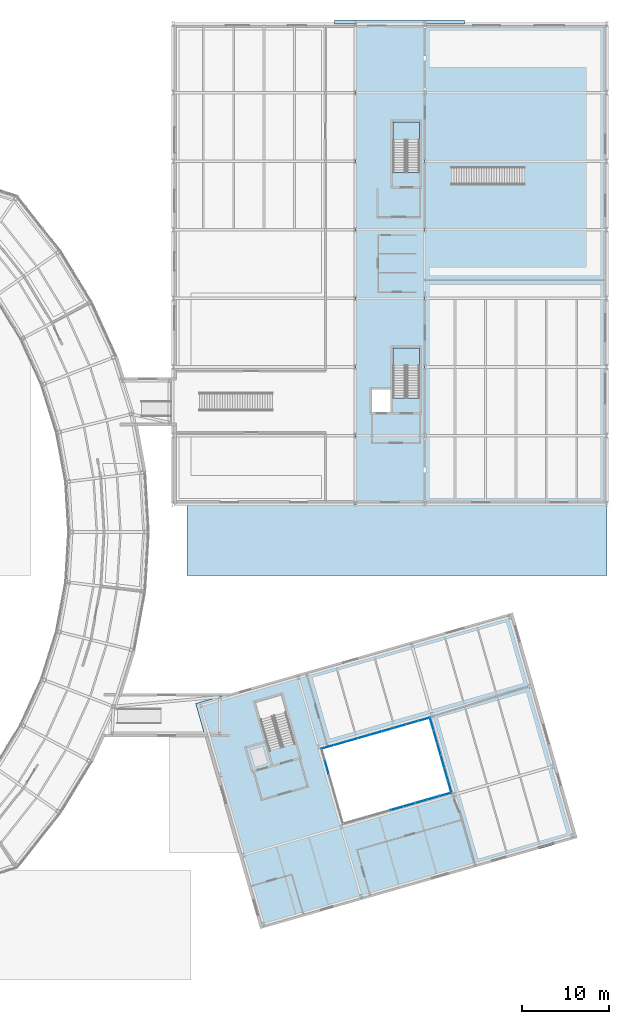
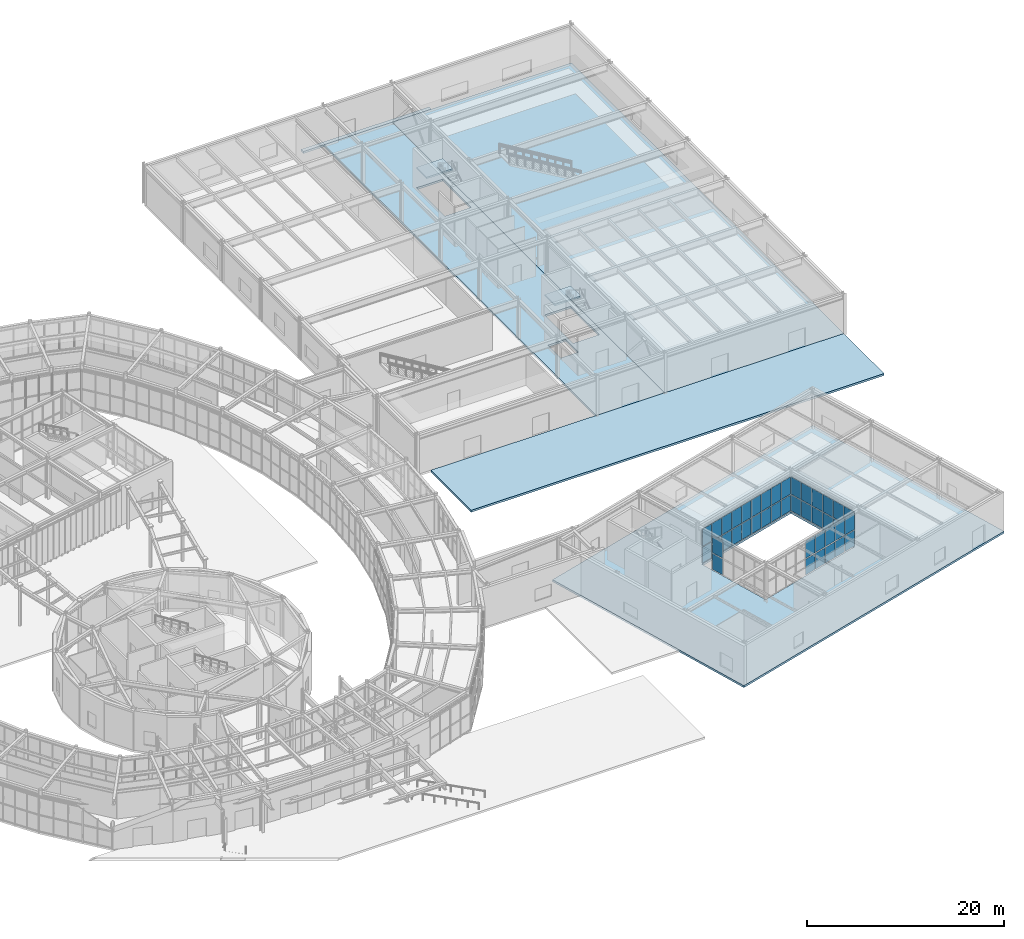
# One storey, part 67 of 97: 42 plates, 7 slabs, 6 elements without a shape of their own.
"""IFC4 building model written with IfcOpenShell, lengths in metres."""

from ifc_helpers import new_model, si_unit, direction, frame, origin, origin_2d, place, context, subcontext, project, spatial, polyline, rectangle, outline, extrude, material, layer, layer_set, type_object, element, aggregate, save


model = new_model("IFC4")

# Units and contexts
model_context = context("Model", 3, precision=1e-05, world=origin(), true_north=direction((0.0, 1.0)))
body_context = subcontext(model_context, "Body", "Model", "MODEL_VIEW")
ifc_project = project(units=[si_unit("LENGTHUNIT", "METRE"), si_unit("AREAUNIT", "SQUARE_METRE"), si_unit("VOLUMEUNIT", "CUBIC_METRE"), si_unit("PLANEANGLEUNIT", "RADIAN"), si_unit("MASSUNIT", "GRAM", prefix="KILO")], contexts=[model_context])

# Site, building, storey
site_placement = place(None, origin())
site = spatial("IfcSite", under=ifc_project, at=site_placement, CompositionType="ELEMENT")
building_placement = place(site_placement, origin())
building = spatial("IfcBuilding", under=site, at=building_placement, Name="Varnklinge Art Gallery", CompositionType="ELEMENT")
storey_placement = place(building_placement, origin())
storey = spatial("IfcBuildingStorey", under=building, at=storey_placement, Name="L00", CompositionType="ELEMENT", Elevation=0.0)

# Curtain wall, plates
ifc_material_1 = material(Name="Anodised Aluminium", Category="aluminium")
curtain_wall_type = type_object("IfcCurtainWallType", Name="CW-C01", PredefinedType="USERDEFINED", material=ifc_material_1)
curtain_wall_1_placement = place(storey_placement, origin())
curtain_wall_1 = element("IfcCurtainWall", 1, at=curtain_wall_1_placement, inside=storey, type_object=curtain_wall_type, Name="L00 Curtain Wall CW-V6C-L00-1", ObjectType="UNITISED CURTAIN WALL", PredefinedType="USERDEFINED")
ifc_material_2 = material(Name="Insulated Low-E Triple Glazing", Category="glass")
ifc_layer_1 = layer(ifc_material_2, 0.031982421875)
ifc_layer_set_1 = layer_set([ifc_layer_1], Name="Insulated Low-E Triple Glazing")
plate_type = type_object("IfcPlateType", Name="GLZ-32", PredefinedType="CURTAIN_PANEL", material=ifc_layer_set_1)
plate_1_placement = place(storey_placement, frame((145.77978515625, 24.7626953125, 0.1181640625), z_axis=(0.0, 0.0, 1.0), x_axis=(-0.961261695938, -0.275637355817, 0.0)))
plate_1 = element("IfcPlate", 2, at=plate_1_placement, type_object=plate_type, Name="CW-V6C-L00-1 Glazing Panel 1.1", PredefinedType="CURTAIN_PANEL", context=body_context, shape_type="SweptSolid", body=[
    extrude(rectangle(XDim=1.3583984375, YDim=0.031982421875, at=origin_2d()), origin(), (0.0, 0.0, 1.0), 1.950439453125),
])
plate_2_placement = place(storey_placement, frame((145.77978515625, 24.7626953125, 2.1845703125), z_axis=(0.0, 0.0, 1.0), x_axis=(-0.961261695938, -0.275637355817, 0.0)))
plate_2 = element("IfcPlate", 3, at=plate_2_placement, type_object=plate_type, Name="CW-V6C-L00-1 Glazing Panel 1.2", PredefinedType="CURTAIN_PANEL", context=body_context, shape_type="SweptSolid", body=[
    extrude(rectangle(XDim=1.3583984375, YDim=0.031982421875, at=origin_2d()), origin(), (0.0, 0.0, 1.0), 2.127685546875),
])
plate_3_placement = place(storey_placement, frame((144.406005859375, 24.368896484375, 0.1181640625), z_axis=(0.0, 0.0, 1.0), x_axis=(-0.961261695938, -0.275637355817, 0.0)))
plate_3 = element("IfcPlate", 4, at=plate_3_placement, type_object=plate_type, Name="CW-V6C-L00-1 Glazing Panel 2.1", PredefinedType="CURTAIN_PANEL", context=body_context, shape_type="SweptSolid", body=[
    extrude(rectangle(XDim=1.388427734375, YDim=0.031982421875, at=origin_2d()), origin(), (0.0, 0.0, 1.0), 1.950439453125),
])
plate_4_placement = place(storey_placement, frame((144.406005859375, 24.368896484375, 2.1845703125), z_axis=(0.0, 0.0, 1.0), x_axis=(-0.961261695938, -0.275637355817, 0.0)))
plate_4 = element("IfcPlate", 5, at=plate_4_placement, type_object=plate_type, Name="CW-V6C-L00-1 Glazing Panel 2.2", PredefinedType="CURTAIN_PANEL", context=body_context, shape_type="SweptSolid", body=[
    extrude(rectangle(XDim=1.388427734375, YDim=0.031982421875, at=origin_2d()), origin(), (0.0, 0.0, 1.0), 2.127685546875),
])
plate_5_placement = place(storey_placement, frame((143.017333984375, 23.970703125, 0.1181640625), z_axis=(0.0, 0.0, 1.0), x_axis=(-0.961261695938, -0.275637355817, 0.0)))
plate_5 = element("IfcPlate", 6, at=plate_5_placement, type_object=plate_type, Name="CW-V6C-L00-1 Glazing Panel 3.1", PredefinedType="CURTAIN_PANEL", context=body_context, shape_type="SweptSolid", body=[
    extrude(rectangle(XDim=1.388427734375, YDim=0.031982421875, at=origin_2d()), origin(), (0.0, 0.0, 1.0), 1.950439453125),
])
plate_6_placement = place(storey_placement, frame((143.017333984375, 23.970703125, 2.1845703125), z_axis=(0.0, 0.0, 1.0), x_axis=(-0.961261695938, -0.275637355817, 0.0)))
plate_6 = element("IfcPlate", 7, at=plate_6_placement, type_object=plate_type, Name="CW-V6C-L00-1 Glazing Panel 3.2", PredefinedType="CURTAIN_PANEL", context=body_context, shape_type="SweptSolid", body=[
    extrude(rectangle(XDim=1.388427734375, YDim=0.031982421875, at=origin_2d()), origin(), (0.0, 0.0, 1.0), 2.127685546875),
])
plate_7_placement = place(storey_placement, frame((141.62890625, 23.572509765625, 0.1181640625), z_axis=(0.0, 0.0, 1.0), x_axis=(-0.961261695938, -0.275637355817, 0.0)))
plate_7 = element("IfcPlate", 8, at=plate_7_placement, type_object=plate_type, Name="CW-V6C-L00-1 Glazing Panel 4.1", PredefinedType="CURTAIN_PANEL", context=body_context, shape_type="SweptSolid", body=[
    extrude(rectangle(XDim=1.388427734375, YDim=0.031982421875, at=origin_2d()), origin(), (0.0, 0.0, 1.0), 1.950439453125),
])
plate_8_placement = place(storey_placement, frame((141.62890625, 23.572509765625, 2.1845703125), z_axis=(0.0, 0.0, 1.0), x_axis=(-0.961261695938, -0.275637355817, 0.0)))
plate_8 = element("IfcPlate", 9, at=plate_8_placement, type_object=plate_type, Name="CW-V6C-L00-1 Glazing Panel 4.2", PredefinedType="CURTAIN_PANEL", context=body_context, shape_type="SweptSolid", body=[
    extrude(rectangle(XDim=1.388427734375, YDim=0.031982421875, at=origin_2d()), origin(), (0.0, 0.0, 1.0), 2.127685546875),
])
plate_9_placement = place(storey_placement, frame((140.240478515625, 23.17431640625, 0.1181640625), z_axis=(0.0, 0.0, 1.0), x_axis=(-0.961261695938, -0.275637355817, 0.0)))
plate_9 = element("IfcPlate", 10, at=plate_9_placement, type_object=plate_type, Name="CW-V6C-L00-1 Glazing Panel 5.1", PredefinedType="CURTAIN_PANEL", context=body_context, shape_type="SweptSolid", body=[
    extrude(rectangle(XDim=1.388427734375, YDim=0.031982421875, at=origin_2d()), origin(), (0.0, 0.0, 1.0), 1.950439453125),
])
plate_10_placement = place(storey_placement, frame((140.240478515625, 23.17431640625, 2.1845703125), z_axis=(0.0, 0.0, 1.0), x_axis=(-0.961261695938, -0.275637355817, 0.0)))
plate_10 = element("IfcPlate", 11, at=plate_10_placement, type_object=plate_type, Name="CW-V6C-L00-1 Glazing Panel 5.2", PredefinedType="CURTAIN_PANEL", context=body_context, shape_type="SweptSolid", body=[
    extrude(rectangle(XDim=1.388427734375, YDim=0.031982421875, at=origin_2d()), origin(), (0.0, 0.0, 1.0), 2.127685546875),
])
aggregate(curtain_wall_1, [plate_1, plate_2, plate_3, plate_4, plate_5, plate_6, plate_7, plate_8, plate_9, plate_10])

curtain_wall_2_placement = place(storey_placement, origin())
curtain_wall_2 = element("IfcCurtainWall", 12, at=curtain_wall_2_placement, inside=storey, type_object=curtain_wall_type, Name="L00 Curtain Wall CW-V6C-L00-2", ObjectType="UNITISED CURTAIN WALL", PredefinedType="USERDEFINED")
plate_11_placement = place(storey_placement, frame((144.21875, 32.8818359375, 0.1181640625), z_axis=(0.0, 0.0, 1.0), x_axis=(0.275637355817, -0.961261695938, 0.0)))
plate_11 = element("IfcPlate", 13, at=plate_11_placement, type_object=plate_type, Name="CW-V6C-L00-2 Glazing Panel 1.1", PredefinedType="CURTAIN_PANEL", context=body_context, shape_type="SweptSolid", body=[
    extrude(rectangle(XDim=1.4140625, YDim=0.031982421875, at=origin_2d()), origin(), (0.0, 0.0, 1.0), 1.950439453125),
])
plate_12_placement = place(storey_placement, frame((144.21875, 32.8818359375, 2.1845703125), z_axis=(0.0, 0.0, 1.0), x_axis=(0.275637355817, -0.961261695938, 0.0)))
plate_12 = element("IfcPlate", 14, at=plate_12_placement, type_object=plate_type, Name="CW-V6C-L00-2 Glazing Panel 1.2", PredefinedType="CURTAIN_PANEL", context=body_context, shape_type="SweptSolid", body=[
    extrude(rectangle(XDim=1.4140625, YDim=0.031982421875, at=origin_2d()), origin(), (0.0, 0.0, 1.0), 2.127685546875),
])
plate_13_placement = place(storey_placement, frame((144.6279296875, 31.45458984375, 0.1181640625), z_axis=(0.0, 0.0, 1.0), x_axis=(0.275637355817, -0.961261695938, 0.0)))
plate_13 = element("IfcPlate", 15, at=plate_13_placement, type_object=plate_type, Name="CW-V6C-L00-2 Glazing Panel 2.1", PredefinedType="CURTAIN_PANEL", context=body_context, shape_type="SweptSolid", body=[
    extrude(rectangle(XDim=1.444091796875, YDim=0.031982421875, at=origin_2d()), origin(), (0.0, 0.0, 1.0), 1.950439453125),
])
plate_14_placement = place(storey_placement, frame((144.6279296875, 31.45458984375, 2.1845703125), z_axis=(0.0, 0.0, 1.0), x_axis=(0.275637355817, -0.961261695938, 0.0)))
plate_14 = element("IfcPlate", 16, at=plate_14_placement, type_object=plate_type, Name="CW-V6C-L00-2 Glazing Panel 2.2", PredefinedType="CURTAIN_PANEL", context=body_context, shape_type="SweptSolid", body=[
    extrude(rectangle(XDim=1.444091796875, YDim=0.031982421875, at=origin_2d()), origin(), (0.0, 0.0, 1.0), 2.127685546875),
])
plate_15_placement = place(storey_placement, frame((145.04150390625, 30.0126953125, 0.1181640625), z_axis=(0.0, 0.0, 1.0), x_axis=(0.275637355817, -0.961261695938, 0.0)))
plate_15 = element("IfcPlate", 17, at=plate_15_placement, type_object=plate_type, Name="CW-V6C-L00-2 Glazing Panel 3.1", PredefinedType="CURTAIN_PANEL", context=body_context, shape_type="SweptSolid", body=[
    extrude(rectangle(XDim=1.444091796875, YDim=0.031982421875, at=origin_2d()), origin(), (0.0, 0.0, 1.0), 1.950439453125),
])
plate_16_placement = place(storey_placement, frame((145.04150390625, 30.0126953125, 2.1845703125), z_axis=(0.0, 0.0, 1.0), x_axis=(0.275637355817, -0.961261695938, 0.0)))
plate_16 = element("IfcPlate", 18, at=plate_16_placement, type_object=plate_type, Name="CW-V6C-L00-2 Glazing Panel 3.2", PredefinedType="CURTAIN_PANEL", context=body_context, shape_type="SweptSolid", body=[
    extrude(rectangle(XDim=1.444091796875, YDim=0.031982421875, at=origin_2d()), origin(), (0.0, 0.0, 1.0), 2.127685546875),
])
plate_17_placement = place(storey_placement, frame((145.454833984375, 28.57080078125, 0.1181640625), z_axis=(0.0, 0.0, 1.0), x_axis=(0.275637355817, -0.961261695938, 0.0)))
plate_17 = element("IfcPlate", 19, at=plate_17_placement, type_object=plate_type, Name="CW-V6C-L00-2 Glazing Panel 4.1", PredefinedType="CURTAIN_PANEL", context=body_context, shape_type="SweptSolid", body=[
    extrude(rectangle(XDim=1.444091796875, YDim=0.031982421875, at=origin_2d()), origin(), (0.0, 0.0, 1.0), 1.950439453125),
])
plate_18_placement = place(storey_placement, frame((145.454833984375, 28.57080078125, 2.1845703125), z_axis=(0.0, 0.0, 1.0), x_axis=(0.275637355817, -0.961261695938, 0.0)))
plate_18 = element("IfcPlate", 20, at=plate_18_placement, type_object=plate_type, Name="CW-V6C-L00-2 Glazing Panel 4.2", PredefinedType="CURTAIN_PANEL", context=body_context, shape_type="SweptSolid", body=[
    extrude(rectangle(XDim=1.444091796875, YDim=0.031982421875, at=origin_2d()), origin(), (0.0, 0.0, 1.0), 2.127685546875),
])
plate_19_placement = place(storey_placement, frame((145.868408203125, 27.12890625, 0.1181640625), z_axis=(0.0, 0.0, 1.0), x_axis=(0.275637355817, -0.961261695938, 0.0)))
plate_19 = element("IfcPlate", 21, at=plate_19_placement, type_object=plate_type, Name="CW-V6C-L00-2 Glazing Panel 5.1", PredefinedType="CURTAIN_PANEL", context=body_context, shape_type="SweptSolid", body=[
    extrude(rectangle(XDim=1.444091796875, YDim=0.031982421875, at=origin_2d()), origin(), (0.0, 0.0, 1.0), 1.950439453125),
])
plate_20_placement = place(storey_placement, frame((145.868408203125, 27.12890625, 2.1845703125), z_axis=(0.0, 0.0, 1.0), x_axis=(0.275637355817, -0.961261695938, 0.0)))
plate_20 = element("IfcPlate", 22, at=plate_20_placement, type_object=plate_type, Name="CW-V6C-L00-2 Glazing Panel 5.2", PredefinedType="CURTAIN_PANEL", context=body_context, shape_type="SweptSolid", body=[
    extrude(rectangle(XDim=1.444091796875, YDim=0.031982421875, at=origin_2d()), origin(), (0.0, 0.0, 1.0), 2.127685546875),
])
plate_21_placement = place(storey_placement, frame((146.277587890625, 25.701416015625, 0.1181640625), z_axis=(0.0, 0.0, 1.0), x_axis=(0.275637355817, -0.961261695938, 0.0)))
plate_21 = element("IfcPlate", 23, at=plate_21_placement, type_object=plate_type, Name="CW-V6C-L00-2 Glazing Panel 6.1", PredefinedType="CURTAIN_PANEL", context=body_context, shape_type="SweptSolid", body=[
    extrude(rectangle(XDim=1.4140625, YDim=0.031982421875, at=origin_2d()), origin(), (0.0, 0.0, 1.0), 1.950439453125),
])
plate_22_placement = place(storey_placement, frame((146.277587890625, 25.701416015625, 2.1845703125), z_axis=(0.0, 0.0, 1.0), x_axis=(0.275637355817, -0.961261695938, 0.0)))
plate_22 = element("IfcPlate", 24, at=plate_22_placement, type_object=plate_type, Name="CW-V6C-L00-2 Glazing Panel 6.2", PredefinedType="CURTAIN_PANEL", context=body_context, shape_type="SweptSolid", body=[
    extrude(rectangle(XDim=1.4140625, YDim=0.031982421875, at=origin_2d()), origin(), (0.0, 0.0, 1.0), 2.127685546875),
])
aggregate(curtain_wall_2, [plate_11, plate_12, plate_13, plate_14, plate_15, plate_16, plate_17, plate_18, plate_19, plate_20, plate_21, plate_22])

curtain_wall_3_placement = place(storey_placement, origin())
curtain_wall_3 = element("IfcCurtainWall", 25, at=curtain_wall_3_placement, inside=storey, type_object=curtain_wall_type, Name="L00 Curtain Wall CW-V6C-L00-3", ObjectType="UNITISED CURTAIN WALL", PredefinedType="USERDEFINED")
plate_23_placement = place(storey_placement, frame((132.22021484375, 30.2373046875, 0.1181640625), z_axis=(0.0, 0.0, 1.0), x_axis=(0.961261695938, 0.275637355817, 0.0)))
plate_23 = element("IfcPlate", 26, at=plate_23_placement, type_object=plate_type, Name="CW-V6C-L00-3 Glazing Panel 1.1", PredefinedType="CURTAIN_PANEL", context=body_context, shape_type="SweptSolid", body=[
    extrude(rectangle(XDim=1.3583984375, YDim=0.031982421875, at=origin_2d()), origin(), (0.0, 0.0, 1.0), 1.950439453125),
])
plate_24_placement = place(storey_placement, frame((132.22021484375, 30.2373046875, 2.1845703125), z_axis=(0.0, 0.0, 1.0), x_axis=(0.961261695938, 0.275637355817, 0.0)))
plate_24 = element("IfcPlate", 27, at=plate_24_placement, type_object=plate_type, Name="CW-V6C-L00-3 Glazing Panel 1.2", PredefinedType="CURTAIN_PANEL", context=body_context, shape_type="SweptSolid", body=[
    extrude(rectangle(XDim=1.3583984375, YDim=0.031982421875, at=origin_2d()), origin(), (0.0, 0.0, 1.0), 2.127685546875),
])
plate_25_placement = place(storey_placement, frame((133.593994140625, 30.631103515625, 0.1181640625), z_axis=(0.0, 0.0, 1.0), x_axis=(0.961261695938, 0.275637355817, 0.0)))
plate_25 = element("IfcPlate", 28, at=plate_25_placement, type_object=plate_type, Name="CW-V6C-L00-3 Glazing Panel 2.1", PredefinedType="CURTAIN_PANEL", context=body_context, shape_type="SweptSolid", body=[
    extrude(rectangle(XDim=1.388427734375, YDim=0.031982421875, at=origin_2d()), origin(), (0.0, 0.0, 1.0), 1.950439453125),
])
plate_26_placement = place(storey_placement, frame((133.593994140625, 30.631103515625, 2.1845703125), z_axis=(0.0, 0.0, 1.0), x_axis=(0.961261695938, 0.275637355817, 0.0)))
plate_26 = element("IfcPlate", 29, at=plate_26_placement, type_object=plate_type, Name="CW-V6C-L00-3 Glazing Panel 2.2", PredefinedType="CURTAIN_PANEL", context=body_context, shape_type="SweptSolid", body=[
    extrude(rectangle(XDim=1.388427734375, YDim=0.031982421875, at=origin_2d()), origin(), (0.0, 0.0, 1.0), 2.127685546875),
])
plate_27_placement = place(storey_placement, frame((134.982666015625, 31.029296875, 0.1181640625), z_axis=(0.0, 0.0, 1.0), x_axis=(0.961261695938, 0.275637355817, 0.0)))
plate_27 = element("IfcPlate", 30, at=plate_27_placement, type_object=plate_type, Name="CW-V6C-L00-3 Glazing Panel 3.1", PredefinedType="CURTAIN_PANEL", context=body_context, shape_type="SweptSolid", body=[
    extrude(rectangle(XDim=1.388427734375, YDim=0.031982421875, at=origin_2d()), origin(), (0.0, 0.0, 1.0), 1.950439453125),
])
plate_28_placement = place(storey_placement, frame((134.982666015625, 31.029296875, 2.1845703125), z_axis=(0.0, 0.0, 1.0), x_axis=(0.961261695938, 0.275637355817, 0.0)))
plate_28 = element("IfcPlate", 31, at=plate_28_placement, type_object=plate_type, Name="CW-V6C-L00-3 Glazing Panel 3.2", PredefinedType="CURTAIN_PANEL", context=body_context, shape_type="SweptSolid", body=[
    extrude(rectangle(XDim=1.388427734375, YDim=0.031982421875, at=origin_2d()), origin(), (0.0, 0.0, 1.0), 2.127685546875),
])
plate_29_placement = place(storey_placement, frame((136.37109375, 31.427490234375, 0.1181640625), z_axis=(0.0, 0.0, 1.0), x_axis=(0.961261695938, 0.275637355817, 0.0)))
plate_29 = element("IfcPlate", 32, at=plate_29_placement, type_object=plate_type, Name="CW-V6C-L00-3 Glazing Panel 4.1", PredefinedType="CURTAIN_PANEL", context=body_context, shape_type="SweptSolid", body=[
    extrude(rectangle(XDim=1.388427734375, YDim=0.031982421875, at=origin_2d()), origin(), (0.0, 0.0, 1.0), 1.950439453125),
])
plate_30_placement = place(storey_placement, frame((136.37109375, 31.427490234375, 2.1845703125), z_axis=(0.0, 0.0, 1.0), x_axis=(0.961261695938, 0.275637355817, 0.0)))
plate_30 = element("IfcPlate", 33, at=plate_30_placement, type_object=plate_type, Name="CW-V6C-L00-3 Glazing Panel 4.2", PredefinedType="CURTAIN_PANEL", context=body_context, shape_type="SweptSolid", body=[
    extrude(rectangle(XDim=1.388427734375, YDim=0.031982421875, at=origin_2d()), origin(), (0.0, 0.0, 1.0), 2.127685546875),
])
plate_31_placement = place(storey_placement, frame((137.759521484375, 31.82568359375, 0.1181640625), z_axis=(0.0, 0.0, 1.0), x_axis=(0.961261695938, 0.275637355817, 0.0)))
plate_31 = element("IfcPlate", 34, at=plate_31_placement, type_object=plate_type, Name="CW-V6C-L00-3 Glazing Panel 5.1", PredefinedType="CURTAIN_PANEL", context=body_context, shape_type="SweptSolid", body=[
    extrude(rectangle(XDim=1.388427734375, YDim=0.031982421875, at=origin_2d()), origin(), (0.0, 0.0, 1.0), 1.950439453125),
])
plate_32_placement = place(storey_placement, frame((137.759521484375, 31.82568359375, 2.1845703125), z_axis=(0.0, 0.0, 1.0), x_axis=(0.961261695938, 0.275637355817, 0.0)))
plate_32 = element("IfcPlate", 35, at=plate_32_placement, type_object=plate_type, Name="CW-V6C-L00-3 Glazing Panel 5.2", PredefinedType="CURTAIN_PANEL", context=body_context, shape_type="SweptSolid", body=[
    extrude(rectangle(XDim=1.388427734375, YDim=0.031982421875, at=origin_2d()), origin(), (0.0, 0.0, 1.0), 2.127685546875),
])
plate_33_placement = place(storey_placement, frame((139.148193359375, 32.223876953125, 0.1181640625), z_axis=(0.0, 0.0, 1.0), x_axis=(0.961261695938, 0.275637355817, 0.0)))
plate_33 = element("IfcPlate", 36, at=plate_33_placement, type_object=plate_type, Name="CW-V6C-L00-3 Glazing Panel 6.1", PredefinedType="CURTAIN_PANEL", context=body_context, shape_type="SweptSolid", body=[
    extrude(rectangle(XDim=1.388427734375, YDim=0.031982421875, at=origin_2d()), origin(), (0.0, 0.0, 1.0), 1.950439453125),
])
plate_34_placement = place(storey_placement, frame((139.148193359375, 32.223876953125, 2.1845703125), z_axis=(0.0, 0.0, 1.0), x_axis=(0.961261695938, 0.275637355817, 0.0)))
plate_34 = element("IfcPlate", 37, at=plate_34_placement, type_object=plate_type, Name="CW-V6C-L00-3 Glazing Panel 6.2", PredefinedType="CURTAIN_PANEL", context=body_context, shape_type="SweptSolid", body=[
    extrude(rectangle(XDim=1.388427734375, YDim=0.031982421875, at=origin_2d()), origin(), (0.0, 0.0, 1.0), 2.127685546875),
])
plate_35_placement = place(storey_placement, frame((140.53662109375, 32.621826171875, 0.1181640625), z_axis=(0.0, 0.0, 1.0), x_axis=(0.961261695938, 0.275637355817, 0.0)))
plate_35 = element("IfcPlate", 38, at=plate_35_placement, type_object=plate_type, Name="CW-V6C-L00-3 Glazing Panel 7.1", PredefinedType="CURTAIN_PANEL", context=body_context, shape_type="SweptSolid", body=[
    extrude(rectangle(XDim=1.388427734375, YDim=0.031982421875, at=origin_2d()), origin(), (0.0, 0.0, 1.0), 1.950439453125),
])
plate_36_placement = place(storey_placement, frame((140.53662109375, 32.621826171875, 2.1845703125), z_axis=(0.0, 0.0, 1.0), x_axis=(0.961261695938, 0.275637355817, 0.0)))
plate_36 = element("IfcPlate", 39, at=plate_36_placement, type_object=plate_type, Name="CW-V6C-L00-3 Glazing Panel 7.2", PredefinedType="CURTAIN_PANEL", context=body_context, shape_type="SweptSolid", body=[
    extrude(rectangle(XDim=1.388427734375, YDim=0.031982421875, at=origin_2d()), origin(), (0.0, 0.0, 1.0), 2.127685546875),
])
plate_37_placement = place(storey_placement, frame((141.925048828125, 33.02001953125, 0.1181640625), z_axis=(0.0, 0.0, 1.0), x_axis=(0.961261695938, 0.275637355817, 0.0)))
plate_37 = element("IfcPlate", 40, at=plate_37_placement, type_object=plate_type, Name="CW-V6C-L00-3 Glazing Panel 8.1", PredefinedType="CURTAIN_PANEL", context=body_context, shape_type="SweptSolid", body=[
    extrude(rectangle(XDim=1.388427734375, YDim=0.031982421875, at=origin_2d()), origin(), (0.0, 0.0, 1.0), 1.950439453125),
])
plate_38_placement = place(storey_placement, frame((141.925048828125, 33.02001953125, 2.1845703125), z_axis=(0.0, 0.0, 1.0), x_axis=(0.961261695938, 0.275637355817, 0.0)))
plate_38 = element("IfcPlate", 41, at=plate_38_placement, type_object=plate_type, Name="CW-V6C-L00-3 Glazing Panel 8.2", PredefinedType="CURTAIN_PANEL", context=body_context, shape_type="SweptSolid", body=[
    extrude(rectangle(XDim=1.388427734375, YDim=0.031982421875, at=origin_2d()), origin(), (0.0, 0.0, 1.0), 2.127685546875),
])
plate_39_placement = place(storey_placement, frame((143.299072265625, 33.4140625, 0.1181640625), z_axis=(0.0, 0.0, 1.0), x_axis=(0.961261695938, 0.275637355817, 0.0)))
plate_39 = element("IfcPlate", 42, at=plate_39_placement, type_object=plate_type, Name="CW-V6C-L00-3 Glazing Panel 9.1", PredefinedType="CURTAIN_PANEL", context=body_context, shape_type="SweptSolid", body=[
    extrude(rectangle(XDim=1.3583984375, YDim=0.031982421875, at=origin_2d()), origin(), (0.0, 0.0, 1.0), 1.950439453125),
])
plate_40_placement = place(storey_placement, frame((143.299072265625, 33.4140625, 2.1845703125), z_axis=(0.0, 0.0, 1.0), x_axis=(0.961261695938, 0.275637355817, 0.0)))
plate_40 = element("IfcPlate", 43, at=plate_40_placement, type_object=plate_type, Name="CW-V6C-L00-3 Glazing Panel 9.2", PredefinedType="CURTAIN_PANEL", context=body_context, shape_type="SweptSolid", body=[
    extrude(rectangle(XDim=1.3583984375, YDim=0.031982421875, at=origin_2d()), origin(), (0.0, 0.0, 1.0), 2.127685546875),
])
aggregate(curtain_wall_3, [plate_23, plate_24, plate_25, plate_26, plate_27, plate_28, plate_29, plate_30, plate_31, plate_32, plate_33, plate_34, plate_35, plate_36, plate_37, plate_38, plate_39, plate_40])

curtain_wall_4_placement = place(storey_placement, origin())
curtain_wall_4 = element("IfcCurtainWall", 44, at=curtain_wall_4_placement, inside=storey, type_object=curtain_wall_type, Name="L00 Curtain Wall CW-V6C-L00-4", ObjectType="UNITISED CURTAIN WALL", PredefinedType="USERDEFINED")
plate_41_placement = place(storey_placement, frame((132.131591796875, 27.87109375, 0.1181640625), z_axis=(0.0, 0.0, 1.0), x_axis=(-0.275637355817, 0.961261695938, 0.0)))
plate_41 = element("IfcPlate", 45, at=plate_41_placement, type_object=plate_type, Name="CW-V6C-L00-4 Glazing Panel 5.1", PredefinedType="CURTAIN_PANEL", context=body_context, shape_type="SweptSolid", body=[
    extrude(rectangle(XDim=1.444091796875, YDim=0.031982421875, at=origin_2d()), origin(), (0.0, 0.0, 1.0), 1.950439453125),
])
plate_42_placement = place(storey_placement, frame((132.131591796875, 27.87109375, 2.1845703125), z_axis=(0.0, 0.0, 1.0), x_axis=(-0.275637355817, 0.961261695938, 0.0)))
plate_42 = element("IfcPlate", 46, at=plate_42_placement, type_object=plate_type, Name="CW-V6C-L00-4 Glazing Panel 5.2", PredefinedType="CURTAIN_PANEL", context=body_context, shape_type="SweptSolid", body=[
    extrude(rectangle(XDim=1.444091796875, YDim=0.031982421875, at=origin_2d()), origin(), (0.0, 0.0, 1.0), 2.127685546875),
])
aggregate(curtain_wall_4, [plate_41, plate_42])

# Slabs
ifc_material_3 = material(Name="Concrete C40/50", Category="concrete")
ifc_layer_2 = layer(ifc_material_3, 0.25)
ifc_layer_set_2 = layer_set([ifc_layer_2], Name="Concrete C40/50")
slab_type_1 = type_object("IfcSlabType", Name="SLB-APRON", PredefinedType="FLOOR", material=ifc_layer_set_2)
slab_1_placement = place(storey_placement, frame((0.0, 0.0, -0.25)))
element("IfcSlab", 47, at=slab_1_placement, inside=storey, type_object=slab_type_1, Name="L00 East Terrace Exit Apron", PredefinedType="FLOOR", context=body_context, shape_type="SweptSolid", body=[
    extrude(outline(polyline([(116.0, 50.0), (164.39990234375, 50.0), (164.39990234375, 58.199951171875), (116.0, 58.199951171875), (116.0, 50.0)])), origin(), (0.0, 0.0, 1.0), 0.25),
])
slab_2_placement = place(storey_placement, frame((0.0, 0.0, -0.25)))
element("IfcSlab", 48, at=slab_2_placement, inside=storey, type_object=slab_type_1, Name="L00 Shell Hall North Exit Apron", PredefinedType="FLOOR", context=body_context, shape_type="SweptSolid", body=[
    extrude(outline(polyline([(148.0, 113.9599609375), (133.0, 113.9599609375), (133.0, 113.5), (148.0, 113.5), (148.0, 113.9599609375)])), origin(), (0.0, 0.0, 1.0), 0.25),
])
ifc_material_4 = material(Name="Concrete C35/45", Category="concrete")
ifc_layer_3 = layer(ifc_material_4, 0.25)
ifc_layer_set_3 = layer_set([ifc_layer_3], Name="Concrete C35/45")
slab_type_2 = type_object("IfcSlabType", Name="SLB-F25", PredefinedType="FLOOR", material=ifc_layer_set_3)
slab_3_placement = place(storey_placement, frame((0.0, 0.0, -0.25)))
element("IfcSlab", 49, at=slab_3_placement, inside=storey, type_object=slab_type_2, Name="L00 Shell Hall S Floor Slab", PredefinedType="FLOOR", context=body_context, shape_type="SweptSolid", body=[
    extrude(outline(polyline([(143.39990234375, 113.5), (135.39990234375, 113.5), (135.39990234375, 58.199951171875), (143.39990234375, 58.199951171875), (143.39990234375, 113.5)]), holes=[polyline([(139.43994140625, 68.800048828125), (137.340087890625, 68.800048828125), (137.340087890625, 71.39990234375), (139.43994140625, 71.39990234375), (139.43994140625, 68.800048828125)]), polyline([(139.739990234375, 76.199951171875), (142.800048828125, 76.199951171875), (142.800048828125, 70.425048828125), (139.739990234375, 70.425048828125), (139.739990234375, 76.199951171875)]), polyline([(142.800048828125, 102.199951171875), (142.800048828125, 96.425048828125), (139.739990234375, 96.425048828125), (139.739990234375, 102.199951171875), (142.800048828125, 102.199951171875)])]), origin(), (0.0, 0.0, 1.0), 0.25),
])
slab_4_placement = place(storey_placement, frame((0.0, 0.0, -0.25)))
element("IfcSlab", 50, at=slab_4_placement, inside=storey, type_object=slab_type_2, Name="L00 Shell Hall E Floor Slab", PredefinedType="FLOOR", context=body_context, shape_type="SweptSolid", body=[
    extrude(outline(polyline([(164.39990234375, 58.199951171875), (164.39990234375, 113.5), (143.39990234375, 113.5), (143.39990234375, 58.199951171875), (164.39990234375, 58.199951171875)])), origin(), (0.0, 0.0, 1.0), 0.25),
])
slab_5_placement = place(storey_placement, frame((0.0, 0.0, -0.25)))
element("IfcSlab", 51, at=slab_5_placement, inside=storey, type_object=slab_type_2, Name="L00 Artists Studios Courtyard Wing Slab", PredefinedType="FLOOR", context=body_context, shape_type="SweptSolid", body=[
    extrude(outline(polyline([(124.45703125, 9.285888671875), (160.985107421875, 19.760009765625), (153.54296875, 45.714111328125), (117.014892578125, 35.239990234375), (124.45703125, 9.285888671875)]), holes=[polyline([(131.511474609375, 30.033935546875), (144.0078125, 33.6171875), (146.488525390625, 24.966064453125), (133.9921875, 21.3828125), (131.511474609375, 30.033935546875)])]), origin(), (0.0, 0.0, 1.0), 0.25),
])

# Stair, slab
ifc_material_5 = material(Name="Concrete C40/50", Category="concrete")
stair_type = type_object("IfcStairType", Name="STR-C5100", PredefinedType="HALF_TURN_STAIR", material=ifc_material_5)
stair_1_placement = place(storey_placement, origin())
stair_1 = element("IfcStair", 52, at=stair_1_placement, inside=storey, type_object=stair_type, Name="L00 Core C3 Stair ST-03", PredefinedType="HALF_TURN_STAIR")
ifc_material_6 = material(Name="Concrete C40/50", Category="concrete")
ifc_layer_4 = layer(ifc_material_6, 0.199951171875)
ifc_layer_set_4 = layer_set([ifc_layer_4], Name="Concrete C40/50")
slab_type_3 = type_object("IfcSlabType", Name="SLB-LND20", PredefinedType="LANDING", material=ifc_layer_set_4)
slab_6_placement = place(storey_placement, frame((0.0, 0.0, 2.35009765625)))
slab_6 = element("IfcSlab", 53, at=slab_6_placement, type_object=slab_type_3, Name="ST-03 landing 1", PredefinedType="LANDING", context=body_context, shape_type="SweptSolid", body=[
    extrude(outline(polyline([(142.800048828125, 74.139892578125), (142.800048828125, 76.199951171875), (139.739990234375, 76.199951171875), (139.739990234375, 74.139892578125), (142.800048828125, 74.139892578125)])), origin(), (0.0, 0.0, 1.0), 0.199951171875),
])
aggregate(stair_1, [slab_6])

stair_2_placement = place(storey_placement, origin())
stair_2 = element("IfcStair", 54, at=stair_2_placement, inside=storey, type_object=stair_type, Name="L00 Core C7 Stair ST-07", PredefinedType="HALF_TURN_STAIR")
slab_7_placement = place(storey_placement, frame((0.0, 0.0, 2.35009765625)))
slab_7 = element("IfcSlab", 55, at=slab_7_placement, type_object=slab_type_3, Name="ST-07 landing 1", PredefinedType="LANDING", context=body_context, shape_type="SweptSolid", body=[
    extrude(outline(polyline([(142.800048828125, 100.139892578125), (142.800048828125, 102.199951171875), (139.739990234375, 102.199951171875), (139.739990234375, 100.139892578125), (142.800048828125, 100.139892578125)])), origin(), (0.0, 0.0, 1.0), 0.199951171875),
])
aggregate(stair_2, [slab_7])

save(model, "model.ifc")
